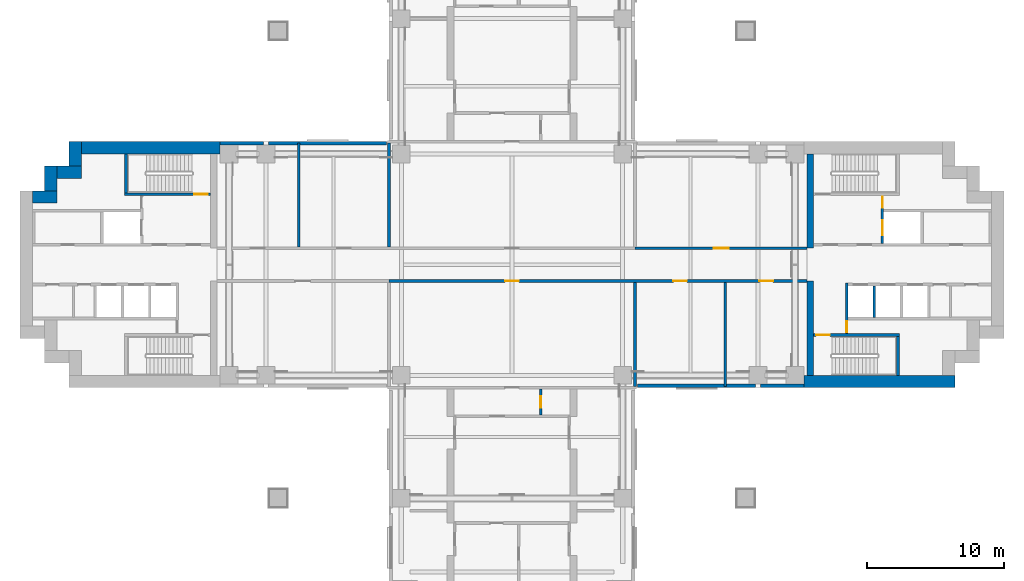
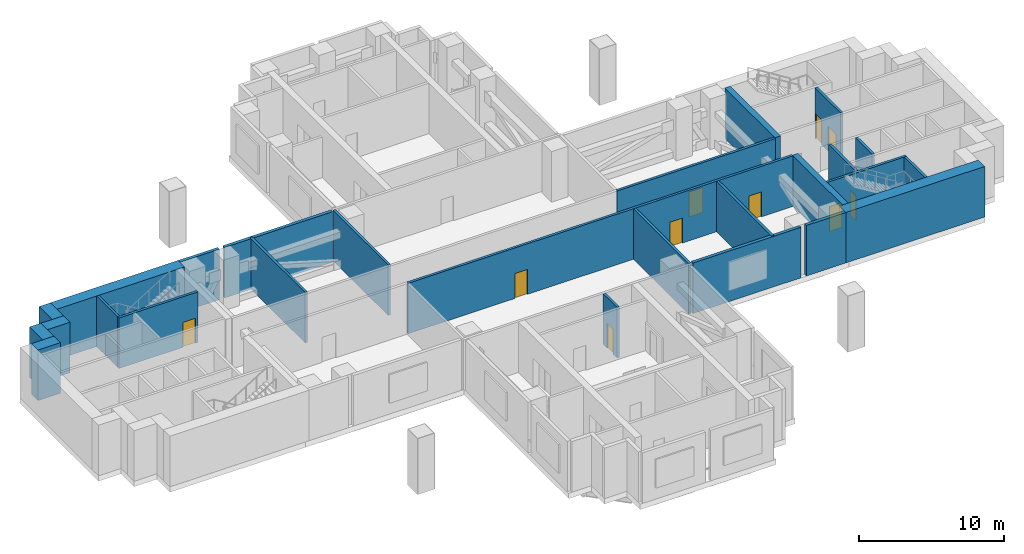
# One storey, part 5 of 10: 26 walls, 10 doors, 10 openings.
"""IFC4 building model written with IfcOpenShell, lengths in metres."""

from ifc_helpers import new_model, si_unit, direction, frame, frame_2d, origin, place, context, subcontext, project, spatial, rectangle, extrude, material, layer, layer_set, type_object, element, fill, save


model = new_model("IFC4")

# Units and contexts
model_context = context("Model", 3, precision=1e-05, world=origin(), true_north=direction((0.0, 1.0)))
body_context = subcontext(model_context, "Body", "Model", "MODEL_VIEW")
ifc_project = project(units=[si_unit("LENGTHUNIT", "METRE"), si_unit("AREAUNIT", "SQUARE_METRE"), si_unit("VOLUMEUNIT", "CUBIC_METRE"), si_unit("PLANEANGLEUNIT", "RADIAN"), si_unit("MASSUNIT", "GRAM", prefix="KILO")], contexts=[model_context])

# Site, building, storey
site_placement = place(None, origin())
site = spatial("IfcSite", under=ifc_project, at=site_placement, CompositionType="ELEMENT")
building_placement = place(site_placement, origin())
building = spatial("IfcBuilding", under=site, at=building_placement, Name="Perihelion Cross Residences", CompositionType="ELEMENT")
storey_placement = place(building_placement, frame((0.0, 0.0, 97.89990234375)))
storey = spatial("IfcBuildingStorey", under=building, at=storey_placement, Name="L22", CompositionType="ELEMENT", Elevation=97.89990234375)

# Wall, openings, doors
ifc_material_1 = material(Name="Plasterboard partition")
ifc_layer_1 = layer(ifc_material_1, 0.199951171875)
ifc_layer_set_1 = layer_set([ifc_layer_1], Name="Apartment riser wall 200")
wall_type_1 = type_object("IfcWallType", Name="Apartment riser wall 200", PredefinedType="PARTITIONING", material=ifc_layer_set_1)
wall_1_placement = place(storey_placement, frame((21.60009765625, -1.199951171875, 0.0), z_axis=(0.0, 0.0, 1.0), x_axis=(-1.0, 0.0, 0.0)))
wall_1 = element("IfcWall", 1, at=wall_1_placement, inside=storey, type_object=wall_type_1, Name="Partition L22 W002", PredefinedType="PARTITIONING", context=body_context, shape_type="SweptSolid", body=[
    extrude(rectangle(XDim=30.60009765625, YDim=0.199951171875, at=frame_2d((15.300048828125, 0.0))), origin(), (0.0, 0.0, 1.0), 4.25),
])
opening_1_placement = place(wall_1_placement, frame((21.10009765625, 0.0, 0.0)))
opening_1 = element("IfcOpeningElement", 2, at=opening_1_placement, cuts=wall_1, Name="Opening L22.A02", PredefinedType="OPENING", context=body_context, shape_type="SweptSolid", body=[
    extrude(rectangle(XDim=1.0, YDim=2.10009765625, at=frame_2d((0.5, 1.050048828125))), frame((0.0, 0.10986328125, 0.0), z_axis=(0.0, -1.0, 0.0), x_axis=(1.0, 0.0, 0.0)), (0.0, 0.0, 1.0), 0.219970703125),
])
opening_2_placement = place(wall_1_placement, frame((8.800048828125, 0.0, 0.0)))
opening_2 = element("IfcOpeningElement", 3, at=opening_2_placement, cuts=wall_1, Name="Opening L22.A04", PredefinedType="OPENING", context=body_context, shape_type="SweptSolid", body=[
    extrude(rectangle(XDim=1.0, YDim=2.10009765625, at=frame_2d((0.5, 1.050048828125))), frame((0.0, 0.10986328125, 0.0), z_axis=(0.0, -1.0, 0.0), x_axis=(1.0, 0.0, 0.0)), (0.0, 0.0, 1.0), 0.219970703125),
])
opening_3_placement = place(wall_1_placement, frame((2.5, 0.0, 0.0)))
opening_3 = element("IfcOpeningElement", 4, at=opening_3_placement, cuts=wall_1, Name="Opening L22.A05", PredefinedType="OPENING", context=body_context, shape_type="SweptSolid", body=[
    extrude(rectangle(XDim=1.0, YDim=2.10009765625, at=frame_2d((0.5, 1.050048828125))), frame((0.0, 0.10986328125, 0.0), z_axis=(0.0, -1.0, 0.0), x_axis=(1.0, 0.0, 0.0)), (0.0, 0.0, 1.0), 0.219970703125),
])
ifc_material_2 = material(Name="Steel door leaf", Category="steel")
door_type_1 = type_object("IfcDoorType", Name="Plant floor door 1000 x 2100", OperationType="SINGLE_SWING_LEFT", PredefinedType="DOOR", material=ifc_material_2)
door_1_placement = place(opening_1_placement, origin())
door_1 = element("IfcDoor", 5, at=door_1_placement, inside=storey, type_object=door_type_1, Name="Door L22.A02", OperationType="SINGLE_SWING_RIGHT", OverallHeight=2.10009765625, OverallWidth=1.0, PredefinedType="DOOR", context=body_context, shape_type="SweptSolid", body=[
    extrude(rectangle(XDim=1.0, YDim=2.10009765625, at=frame_2d((0.5, 1.050048828125))), frame((0.0, 0.02490234375, 0.0), z_axis=(0.0, -1.0, 0.0), x_axis=(1.0, 0.0, 0.0)), (0.0, 0.0, 1.0), 0.050048828125),
])
fill(opening_1, door_1)
door_2_placement = place(opening_2_placement, origin())
door_2 = element("IfcDoor", 6, at=door_2_placement, inside=storey, type_object=door_type_1, Name="Door L22.A04", OperationType="SINGLE_SWING_RIGHT", OverallHeight=2.10009765625, OverallWidth=1.0, PredefinedType="DOOR", context=body_context, shape_type="SweptSolid", body=[
    extrude(rectangle(XDim=1.0, YDim=2.10009765625, at=frame_2d((0.5, 1.050048828125))), frame((0.0, 0.02490234375, 0.0), z_axis=(0.0, -1.0, 0.0), x_axis=(1.0, 0.0, 0.0)), (0.0, 0.0, 1.0), 0.050048828125),
])
fill(opening_2, door_2)
door_3_placement = place(opening_3_placement, origin())
door_3 = element("IfcDoor", 7, at=door_3_placement, inside=storey, type_object=door_type_1, Name="Door L22.A05", OperationType="SINGLE_SWING_LEFT", OverallHeight=2.10009765625, OverallWidth=1.0, PredefinedType="DOOR", context=body_context, shape_type="SweptSolid", body=[
    extrude(rectangle(XDim=1.0, YDim=2.10009765625, at=frame_2d((0.5, 1.050048828125))), frame((0.0, 0.02490234375, 0.0), z_axis=(0.0, -1.0, 0.0), x_axis=(1.0, 0.0, 0.0)), (0.0, 0.0, 1.0), 0.050048828125),
])
fill(opening_3, door_3)

# Walls
for number, where, z_axis, x_axis, name in (
    (8, (-9.0, 1.300048828125, 0.0), (0.0, 0.0, 1.0), (0.0, 1.0, 0.0), "Partition L22 W006"),
    (9, (9.0, -1.300048828125, 0.0), (0.0, 0.0, 1.0), (0.0, -1.0, 0.0), "Partition L22 W008"),
    (10, (15.60009765625, -1.300048828125, 0.0), (0.0, 0.0, 1.0), (0.0, -1.0, 0.0), "Partition L22 W011"),
    (11, (-15.60009765625, 1.300048828125, 0.0), (0.0, 0.0, 1.0), (0.0, 1.0, 0.0), "Partition L22 W012"),
):
    element("IfcWall", number, at=place(storey_placement, frame(where, z_axis=z_axis, x_axis=x_axis)), inside=storey, type_object=wall_type_1, Name=name, PredefinedType="PARTITIONING", context=body_context, shape_type="SweptSolid", body=[
        extrude(rectangle(XDim=7.599853515625, YDim=0.199951171875, at=frame_2d((3.7998046875, 0.0))), origin(), (0.0, 0.0, 1.0), 4.25),
    ])

# Wall, opening, door
wall_2_placement = place(storey_placement, frame((2.10009765625, -9.10009765625, 0.0), z_axis=(0.0, 0.0, 1.0), x_axis=(0.0, -1.0, 0.0)))
wall_2 = element("IfcWall", 12, at=wall_2_placement, inside=storey, type_object=wall_type_1, Name="Partition L22 W022", PredefinedType="PARTITIONING", context=body_context, shape_type="SweptSolid", body=[
    extrude(rectangle(XDim=1.89990234375, YDim=0.199951171875, at=frame_2d((0.949951171875, 0.0))), origin(), (0.0, 0.0, 1.0), 4.25),
])
opening_4_placement = place(wall_2_placement, frame((0.52490234375, 0.0, 0.0)))
opening_4 = element("IfcOpeningElement", 13, at=opening_4_placement, cuts=wall_2, Name="Opening L22.A16", PredefinedType="OPENING", context=body_context, shape_type="SweptSolid", body=[
    extrude(rectangle(XDim=0.85009765625, YDim=2.10009765625, at=frame_2d((0.425048828125, 1.050048828125))), frame((0.0, 0.10986328125, 0.0), z_axis=(0.0, -1.0, 0.0), x_axis=(1.0, 0.0, 0.0)), (0.0, 0.0, 1.0), 0.219970703125),
])
ifc_material_3 = material(Name="Timber door leaf", Category="wood")
door_type_2 = type_object("IfcDoorType", Name="Interior bathroom door 850 x 2100", OperationType="SINGLE_SWING_LEFT", PredefinedType="DOOR", material=ifc_material_3)
door_4_placement = place(opening_4_placement, origin())
door_4 = element("IfcDoor", 14, at=door_4_placement, inside=storey, type_object=door_type_2, Name="Door L22.A16", OperationType="SINGLE_SWING_RIGHT", OverallHeight=2.10009765625, OverallWidth=0.85009765625, PredefinedType="DOOR", context=body_context, shape_type="SweptSolid", body=[
    extrude(rectangle(XDim=0.85009765625, YDim=2.10009765625, at=frame_2d((0.425048828125, 1.050048828125))), frame((0.0, 0.02490234375, 0.0), z_axis=(0.0, -1.0, 0.0), x_axis=(1.0, 0.0, 0.0)), (0.0, 0.0, 1.0), 0.050048828125),
])
fill(opening_4, door_4)

ifc_material_4 = material(Name="Plasterboard partition")
ifc_layer_2 = layer(ifc_material_4, 0.199951171875)
ifc_layer_set_2 = layer_set([ifc_layer_2], Name="Apartment separation wall 200")
wall_type_2 = type_object("IfcWallType", Name="Apartment separation wall 200", PredefinedType="PARTITIONING", material=ifc_layer_set_2)
wall_3_placement = place(storey_placement, frame((9.0, 1.199951171875, 0.0), z_axis=(0.0, 0.0, 1.0), x_axis=(1.0, 0.0, 0.0)))
wall_3 = element("IfcWall", 15, at=wall_3_placement, inside=storey, type_object=wall_type_2, Name="Partition L22 W003", PredefinedType="PARTITIONING", context=body_context, shape_type="SweptSolid", body=[
    extrude(rectangle(XDim=12.60009765625, YDim=0.199951171875, at=frame_2d((6.300048828125, 0.0))), origin(), (0.0, 0.0, 1.0), 4.25),
])
opening_5_placement = place(wall_3_placement, frame((5.75, 0.0, 0.0)))
opening_5 = element("IfcOpeningElement", 16, at=opening_5_placement, cuts=wall_3, Name="Opening L22.A03", PredefinedType="OPENING", context=body_context, shape_type="SweptSolid", body=[
    extrude(rectangle(XDim=1.10009765625, YDim=2.10009765625, at=frame_2d((0.550048828125, 1.050048828125))), frame((0.0, 0.10986328125, 0.0), z_axis=(0.0, -1.0, 0.0), x_axis=(1.0, 0.0, 0.0)), (0.0, 0.0, 1.0), 0.219970703125),
])
ifc_material_5 = material(Name="Steel door leaf", Category="steel")
door_type_3 = type_object("IfcDoorType", Name="Refuge room door 1100 x 2100", OperationType="SINGLE_SWING_LEFT", PredefinedType="DOOR", material=ifc_material_5)
door_5_placement = place(opening_5_placement, origin())
door_5 = element("IfcDoor", 17, at=door_5_placement, inside=storey, type_object=door_type_3, Name="Door L22.A03", OperationType="SINGLE_SWING_LEFT", OverallHeight=2.10009765625, OverallWidth=1.10009765625, PredefinedType="DOOR", context=body_context, shape_type="SweptSolid", body=[
    extrude(rectangle(XDim=1.10009765625, YDim=2.10009765625, at=frame_2d((0.550048828125, 1.050048828125))), frame((0.0, 0.02490234375, 0.0), z_axis=(0.0, -1.0, 0.0), x_axis=(1.0, 0.0, 0.0)), (0.0, 0.0, 1.0), 0.050048828125),
])
fill(opening_5, door_5)

# Walls
ifc_material_6 = material(Name="Concrete C60/75", Category="concrete")
ifc_layer_3 = layer(ifc_material_6, 0.449951171875)
ifc_layer_set_3 = layer_set([ifc_layer_3], Name="Core wall, inner 450")
wall_type_3 = type_object("IfcWallType", Name="Core wall, inner 450", PredefinedType="SHEAR", material=ifc_layer_set_3)
for number, where, z_axis, x_axis, name in (
    (18, (21.824951171875, -8.10009765625, 0.0), (0.0, 0.0, 1.0), (0.0, 1.0, 0.0), "East core core wall, inner"),
    (19, (21.824951171875, 1.199951171875, 0.0), (0.0, 0.0, 1.0), (0.0, 1.0, 0.0), "East core core wall, inner"),
):
    element("IfcWall", number, at=place(storey_placement, frame(where, z_axis=z_axis, x_axis=x_axis)), inside=storey, type_object=wall_type_3, Name=name, PredefinedType="SHEAR", context=body_context, shape_type="SweptSolid", body=[
        extrude(rectangle(XDim=6.900146484375, YDim=0.449951171875, at=frame_2d((3.4501953125, 0.0))), origin(), (0.0, 0.0, 1.0), 4.25),
    ])
ifc_material_7 = material(Name="Concrete C60/75", Category="concrete")
ifc_layer_4 = layer(ifc_material_7, 0.89990234375)
ifc_layer_set_4 = layer_set([ifc_layer_4], Name="Core wall, outer 900")
wall_type_4 = type_object("IfcWallType", Name="Core wall, outer 900", PredefinedType="SHEAR", material=ifc_layer_set_4)
wall_4_placement = place(storey_placement, frame((21.35009765625, -8.550048828125, 0.0), z_axis=(0.0, 0.0, 1.0), x_axis=(1.0, 0.0, 0.0)))
element("IfcWall", 20, at=wall_4_placement, inside=storey, type_object=wall_type_4, Name="East core core wall, outer", PredefinedType="SHEAR", context=body_context, shape_type="SweptSolid", body=[
    extrude(rectangle(XDim=11.0498046875, YDim=0.89990234375, at=frame_2d((5.52490234375, 0.0))), origin(), (0.0, 0.0, 1.0), 4.25),
])
for number, where, z_axis, x_axis, name in (
    (21, (-35.10009765625, 4.949951171875, 0.0), (0.0, 0.0, 1.0), (1.0, 0.0, 0.0), "West core core wall, outer"),
    (22, (-33.75, 5.39990234375, 0.0), (0.0, 0.0, 1.0), (0.0, 1.0, 0.0), "West core core wall, outer"),
    (23, (-33.300048828125, 6.75, 0.0), (0.0, 0.0, 1.0), (1.0, 0.0, 0.0), "West core core wall, outer"),
    (24, (-31.949951171875, 7.199951171875, 0.0), (0.0, 0.0, 1.0), (0.0, 1.0, 0.0), "West core core wall, outer"),
):
    element("IfcWall", number, at=place(storey_placement, frame(where, z_axis=z_axis, x_axis=x_axis)), inside=storey, type_object=wall_type_4, Name=name, PredefinedType="SHEAR", context=body_context, shape_type="SweptSolid", body=[
        extrude(rectangle(XDim=1.800048828125, YDim=0.89990234375, at=frame_2d((0.89990234375, 0.0))), origin(), (0.0, 0.0, 1.0), 4.25),
    ])
wall_5_placement = place(storey_placement, frame((-31.5, 8.550048828125, 0.0), z_axis=(0.0, 0.0, 1.0), x_axis=(1.0, 0.0, 0.0)))
element("IfcWall", 25, at=wall_5_placement, inside=storey, type_object=wall_type_4, Name="West core core wall, outer", PredefinedType="SHEAR", context=body_context, shape_type="SweptSolid", body=[
    extrude(rectangle(XDim=10.14990234375, YDim=0.89990234375, at=frame_2d((5.074951171875, 0.0))), origin(), (0.0, 0.0, 1.0), 4.25),
])

# Wall, opening, door
ifc_material_8 = material(Name="Concrete C50/60", Category="concrete")
ifc_layer_5 = layer(ifc_material_8, 0.199951171875)
ifc_layer_set_5 = layer_set([ifc_layer_5], Name="Lobby wall 200")
wall_type_5 = type_object("IfcWallType", Name="Lobby wall 200", PredefinedType="SOLIDWALL", material=ifc_layer_set_5)
wall_6_placement = place(storey_placement, frame((24.5, -5.050048828125, 0.0), z_axis=(0.0, 0.0, 1.0), x_axis=(0.0, 1.0, 0.0)))
wall_6 = element("IfcWall", 26, at=wall_6_placement, inside=storey, type_object=wall_type_5, Name="East core lobby wall", PredefinedType="SOLIDWALL", context=body_context, shape_type="SweptSolid", body=[
    extrude(rectangle(XDim=3.699951171875, YDim=0.199951171875, at=frame_2d((1.85009765625, 0.0))), origin(), (0.0, 0.0, 1.0), 4.25),
])
opening_6_placement = place(wall_6_placement, frame((0.10009765625, 0.0, 0.0)))
opening_6 = element("IfcOpeningElement", 27, at=opening_6_placement, cuts=wall_6, Name="Opening L22.C08", PredefinedType="OPENING", context=body_context, shape_type="SweptSolid", body=[
    extrude(rectangle(XDim=0.800048828125, YDim=2.10009765625, at=frame_2d((0.39990234375, 1.050048828125))), frame((0.0, 0.10986328125, 0.0), z_axis=(0.0, -1.0, 0.0), x_axis=(1.0, 0.0, 0.0)), (0.0, 0.0, 1.0), 0.219970703125),
])
ifc_material_9 = material(Name="Steel, powder coated", Category="steel")
door_type_4 = type_object("IfcDoorType", Name="Riser door 800", OperationType="SINGLE_SWING_LEFT", PredefinedType="DOOR", material=ifc_material_9)
door_6_placement = place(opening_6_placement, origin())
door_6 = element("IfcDoor", 28, at=door_6_placement, inside=storey, type_object=door_type_4, Name="East core riser door", OperationType="SINGLE_SWING_LEFT", OverallHeight=2.10009765625, OverallWidth=0.800048828125, PredefinedType="DOOR", context=body_context, shape_type="SweptSolid", body=[
    extrude(rectangle(XDim=0.800048828125, YDim=2.10009765625, at=frame_2d((0.39990234375, 1.050048828125))), frame((0.0, 0.02490234375, 0.0), z_axis=(0.0, -1.0, 0.0), x_axis=(1.0, 0.0, 0.0)), (0.0, 0.0, 1.0), 0.050048828125),
])
fill(opening_6, door_6)

# Walls
ifc_material_10 = material(Name="Concrete C30/37, bronze-clad", Category="concrete")
ifc_layer_6 = layer(ifc_material_10, 0.25)
ifc_layer_set_6 = layer_set([ifc_layer_6], Name="Louvre bay wall 250")
wall_type_6 = type_object("IfcWallType", Name="Louvre bay wall 250", PredefinedType="SOLIDWALL", material=ifc_layer_set_6)
wall_7_placement = place(storey_placement, frame((-9.199951171875, 8.875, 0.0), z_axis=(0.0, 0.0, 1.0), x_axis=(-1.0, 0.0, 0.0)))
element("IfcWall", 29, at=wall_7_placement, inside=storey, type_object=wall_type_6, Name="Wall FW2 L22 west side north bay 1 louvre", PredefinedType="SOLIDWALL", context=body_context, shape_type="SweptSolid", body=[
    extrude(rectangle(XDim=8.60009765625, YDim=0.25, at=frame_2d((4.300048828125, 0.0))), origin(), (0.0, 0.0, 1.0), 4.25),
])
wall_8_placement = place(storey_placement, frame((-18.199951171875, 8.875, 0.0), z_axis=(0.0, 0.0, 1.0), x_axis=(-1.0, 0.0, 0.0)))
element("IfcWall", 30, at=wall_8_placement, inside=storey, type_object=wall_type_6, Name="Wall FW2 L22 west side north bay 2 louvre", PredefinedType="SOLIDWALL", context=body_context, shape_type="SweptSolid", body=[
    extrude(rectangle(XDim=3.150146484375, YDim=0.25, at=frame_2d((1.5751953125, 0.0))), origin(), (0.0, 0.0, 1.0), 4.25),
])
wall_9_placement = place(storey_placement, frame((9.199951171875, -8.875, 0.0), z_axis=(0.0, 0.0, 1.0), x_axis=(1.0, 0.0, 0.0)))
element("IfcWall", 31, at=wall_9_placement, inside=storey, type_object=wall_type_6, Name="Wall FW2 L22 east side south bay 1 louvre", PredefinedType="SOLIDWALL", context=body_context, shape_type="SweptSolid", body=[
    extrude(rectangle(XDim=8.60009765625, YDim=0.25, at=frame_2d((4.300048828125, 0.0))), origin(), (0.0, 0.0, 1.0), 4.25),
])
wall_10_placement = place(storey_placement, frame((18.199951171875, -8.875, 0.0), z_axis=(0.0, 0.0, 1.0), x_axis=(1.0, 0.0, 0.0)))
element("IfcWall", 32, at=wall_10_placement, inside=storey, type_object=wall_type_6, Name="Wall FW2 L22 east side south bay 2 louvre", PredefinedType="SOLIDWALL", context=body_context, shape_type="SweptSolid", body=[
    extrude(rectangle(XDim=3.150146484375, YDim=0.25, at=frame_2d((1.5751953125, 0.0))), origin(), (0.0, 0.0, 1.0), 4.25),
])

# Wall, openings, doors
ifc_material_11 = material(Name="Concrete C50/60", Category="concrete")
ifc_layer_7 = layer(ifc_material_11, 0.199951171875)
ifc_layer_set_7 = layer_set([ifc_layer_7], Name="Shaft wall 200")
wall_type_7 = type_object("IfcWallType", Name="Shaft wall 200", PredefinedType="SOLIDWALL", material=ifc_layer_set_7)
wall_11_placement = place(storey_placement, frame((27.10009765625, 1.550048828125, 0.0), z_axis=(0.0, 0.0, 1.0), x_axis=(0.0, 1.0, 0.0)))
wall_11 = element("IfcWall", 33, at=wall_11_placement, inside=storey, type_object=wall_type_7, Name="East core shaft wall", PredefinedType="SOLIDWALL", context=body_context, shape_type="SweptSolid", body=[
    extrude(rectangle(XDim=3.5, YDim=0.199951171875, at=frame_2d((1.75, 0.0))), origin(), (0.0, 0.0, 1.0), 4.25),
])
opening_7_placement = place(wall_11_placement, frame((0.60009765625, 0.0, 0.0)))
opening_7 = element("IfcOpeningElement", 34, at=opening_7_placement, cuts=wall_11, Name="Opening L22.C02", PredefinedType="OPENING", context=body_context, shape_type="SweptSolid", body=[
    extrude(rectangle(XDim=1.10009765625, YDim=2.10009765625, at=frame_2d((0.550048828125, 1.050048828125))), frame((0.0, 0.10986328125, 0.0), z_axis=(0.0, -1.0, 0.0), x_axis=(1.0, 0.0, 0.0)), (0.0, 0.0, 1.0), 0.219970703125),
])
opening_8_placement = place(wall_11_placement, frame((2.60009765625, 0.0, 0.0)))
opening_8 = element("IfcOpeningElement", 35, at=opening_8_placement, cuts=wall_11, Name="Opening L22.C10", PredefinedType="OPENING", context=body_context, shape_type="SweptSolid", body=[
    extrude(rectangle(XDim=0.800048828125, YDim=2.10009765625, at=frame_2d((0.39990234375, 1.050048828125))), frame((0.0, 0.10986328125, 0.0), z_axis=(0.0, -1.0, 0.0), x_axis=(1.0, 0.0, 0.0)), (0.0, 0.0, 1.0), 0.219970703125),
])
ifc_material_12 = material(Name="Stainless steel", Category="steel")
door_type_5 = type_object("IfcDoorType", Name="Landing door, firefighting lift 1100", OperationType="DOUBLE_DOOR_SLIDING", PredefinedType="DOOR", material=ifc_material_12)
door_7_placement = place(opening_7_placement, origin())
door_7 = element("IfcDoor", 36, at=door_7_placement, inside=storey, type_object=door_type_5, Name="Landing door, East core firefighting and service lift", OperationType="DOUBLE_DOOR_SLIDING", OverallHeight=2.10009765625, OverallWidth=1.10009765625, PredefinedType="DOOR", context=body_context, shape_type="SweptSolid", body=[
    extrude(rectangle(XDim=1.10009765625, YDim=2.10009765625, at=frame_2d((0.550048828125, 1.050048828125))), frame((0.0, 0.02490234375, 0.0), z_axis=(0.0, -1.0, 0.0), x_axis=(1.0, 0.0, 0.0)), (0.0, 0.0, 1.0), 0.050048828125),
])
fill(opening_7, door_7)
door_8_placement = place(opening_8_placement, origin())
door_8 = element("IfcDoor", 37, at=door_8_placement, inside=storey, type_object=door_type_4, Name="East core riser door", OperationType="SINGLE_SWING_LEFT", OverallHeight=2.10009765625, OverallWidth=0.800048828125, PredefinedType="DOOR", context=body_context, shape_type="SweptSolid", body=[
    extrude(rectangle(XDim=0.800048828125, YDim=2.10009765625, at=frame_2d((0.39990234375, 1.050048828125))), frame((0.0, 0.02490234375, 0.0), z_axis=(0.0, -1.0, 0.0), x_axis=(1.0, 0.0, 0.0)), (0.0, 0.0, 1.0), 0.050048828125),
])
fill(opening_8, door_8)

# Wall
wall_12_placement = place(storey_placement, frame((26.5, -3.85009765625, 0.0), z_axis=(0.0, 0.0, 1.0), x_axis=(0.0, 1.0, 0.0)))
element("IfcWall", 38, at=wall_12_placement, inside=storey, type_object=wall_type_7, Name="East core shaft wall", PredefinedType="SOLIDWALL", context=body_context, shape_type="SweptSolid", body=[
    extrude(rectangle(XDim=2.300048828125, YDim=0.199951171875, at=frame_2d((1.14990234375, 0.0))), origin(), (0.0, 0.0, 1.0), 4.25),
])

# Wall, opening, door
ifc_material_13 = material(Name="Concrete C50/60", Category="concrete")
ifc_layer_8 = layer(ifc_material_13, 0.199951171875)
ifc_layer_set_8 = layer_set([ifc_layer_8], Name="Stair wall 200")
wall_type_8 = type_object("IfcWallType", Name="Stair wall 200", PredefinedType="SOLIDWALL", material=ifc_layer_set_8)
wall_13_placement = place(storey_placement, frame((22.050048828125, -5.14990234375, 0.0), z_axis=(0.0, 0.0, 1.0), x_axis=(1.0, 0.0, 0.0)))
wall_13 = element("IfcWall", 39, at=wall_13_placement, inside=storey, type_object=wall_type_8, Name="East core stair wall", PredefinedType="SOLIDWALL", context=body_context, shape_type="SweptSolid", body=[
    extrude(rectangle(XDim=6.300048828125, YDim=0.199951171875, at=frame_2d((3.14990234375, 0.0))), origin(), (0.0, 0.0, 1.0), 4.25),
])
opening_9_placement = place(wall_13_placement, frame((0.199951171875, 0.0, 0.0)))
opening_9 = element("IfcOpeningElement", 40, at=opening_9_placement, cuts=wall_13, Name="Opening L22.C05", PredefinedType="OPENING", context=body_context, shape_type="SweptSolid", body=[
    extrude(rectangle(XDim=1.0, YDim=2.10009765625, at=frame_2d((0.5, 1.050048828125))), frame((0.0, 0.10986328125, 0.0), z_axis=(0.0, -1.0, 0.0), x_axis=(1.0, 0.0, 0.0)), (0.0, 0.0, 1.0), 0.219970703125),
])
ifc_material_14 = material(Name="Steel, powder coated", Category="steel")
door_type_6 = type_object("IfcDoorType", Name="Stair door 1000", OperationType="SINGLE_SWING_LEFT", PredefinedType="DOOR", material=ifc_material_14)
door_9_placement = place(opening_9_placement, origin())
door_9 = element("IfcDoor", 41, at=door_9_placement, inside=storey, type_object=door_type_6, Name="East core stair door", OperationType="SINGLE_SWING_LEFT", OverallHeight=2.10009765625, OverallWidth=1.0, PredefinedType="DOOR", context=body_context, shape_type="SweptSolid", body=[
    extrude(rectangle(XDim=1.0, YDim=2.10009765625, at=frame_2d((0.5, 1.050048828125))), frame((0.0, 0.02490234375, 0.0), z_axis=(0.0, -1.0, 0.0), x_axis=(1.0, 0.0, 0.0)), (0.0, 0.0, 1.0), 0.050048828125),
])
fill(opening_9, door_9)

# Wall
wall_14_placement = place(storey_placement, frame((28.25, -8.10009765625, 0.0), z_axis=(0.0, 0.0, 1.0), x_axis=(0.0, 1.0, 0.0)))
element("IfcWall", 42, at=wall_14_placement, inside=storey, type_object=wall_type_8, Name="East core stair wall", PredefinedType="SOLIDWALL", context=body_context, shape_type="SweptSolid", body=[
    extrude(rectangle(XDim=2.85009765625, YDim=0.199951171875, at=frame_2d((1.425048828125, 0.0))), origin(), (0.0, 0.0, 1.0), 4.25),
])

# Wall, opening, door
wall_15_placement = place(storey_placement, frame((-28.35009765625, 5.14990234375, 0.0), z_axis=(0.0, 0.0, 1.0), x_axis=(1.0, 0.0, 0.0)))
wall_15 = element("IfcWall", 43, at=wall_15_placement, inside=storey, type_object=wall_type_8, Name="West core stair wall", PredefinedType="SOLIDWALL", context=body_context, shape_type="SweptSolid", body=[
    extrude(rectangle(XDim=6.300048828125, YDim=0.199951171875, at=frame_2d((3.14990234375, 0.0))), origin(), (0.0, 0.0, 1.0), 4.25),
])
opening_10_placement = place(wall_15_placement, frame((5.10009765625, 0.0, 0.0)))
opening_10 = element("IfcOpeningElement", 44, at=opening_10_placement, cuts=wall_15, Name="Opening L22.C19", PredefinedType="OPENING", context=body_context, shape_type="SweptSolid", body=[
    extrude(rectangle(XDim=1.0, YDim=2.10009765625, at=frame_2d((0.5, 1.050048828125))), frame((0.0, 0.10986328125, 0.0), z_axis=(0.0, -1.0, 0.0), x_axis=(1.0, 0.0, 0.0)), (0.0, 0.0, 1.0), 0.219970703125),
])
door_10_placement = place(opening_10_placement, origin())
door_10 = element("IfcDoor", 45, at=door_10_placement, inside=storey, type_object=door_type_6, Name="West core stair door", OperationType="SINGLE_SWING_LEFT", OverallHeight=2.10009765625, OverallWidth=1.0, PredefinedType="DOOR", context=body_context, shape_type="SweptSolid", body=[
    extrude(rectangle(XDim=1.0, YDim=2.10009765625, at=frame_2d((0.5, 1.050048828125))), frame((0.0, 0.02490234375, 0.0), z_axis=(0.0, -1.0, 0.0), x_axis=(1.0, 0.0, 0.0)), (0.0, 0.0, 1.0), 0.050048828125),
])
fill(opening_10, door_10)

# Wall
wall_16_placement = place(storey_placement, frame((-28.25, 5.25, 0.0), z_axis=(0.0, 0.0, 1.0), x_axis=(0.0, 1.0, 0.0)))
element("IfcWall", 46, at=wall_16_placement, inside=storey, type_object=wall_type_8, Name="West core stair wall", PredefinedType="SOLIDWALL", context=body_context, shape_type="SweptSolid", body=[
    extrude(rectangle(XDim=2.85009765625, YDim=0.199951171875, at=frame_2d((1.425048828125, 0.0))), origin(), (0.0, 0.0, 1.0), 4.25),
])

save(model, "model.ifc")
